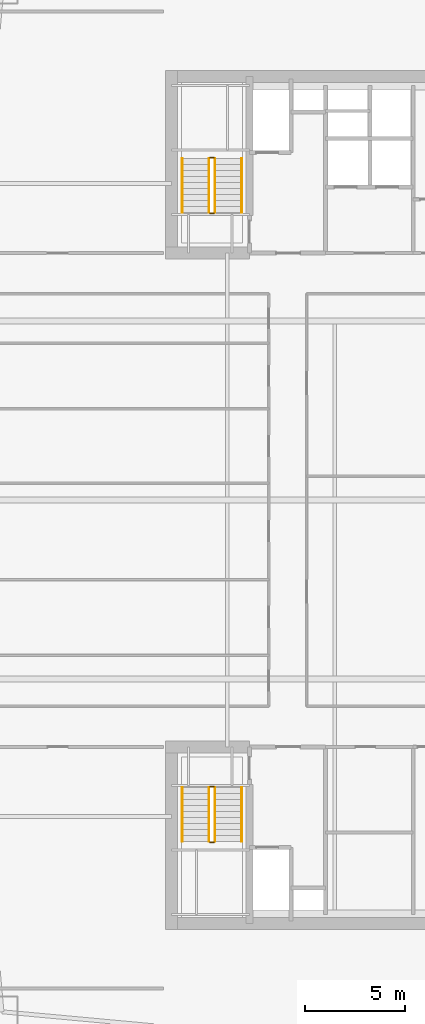
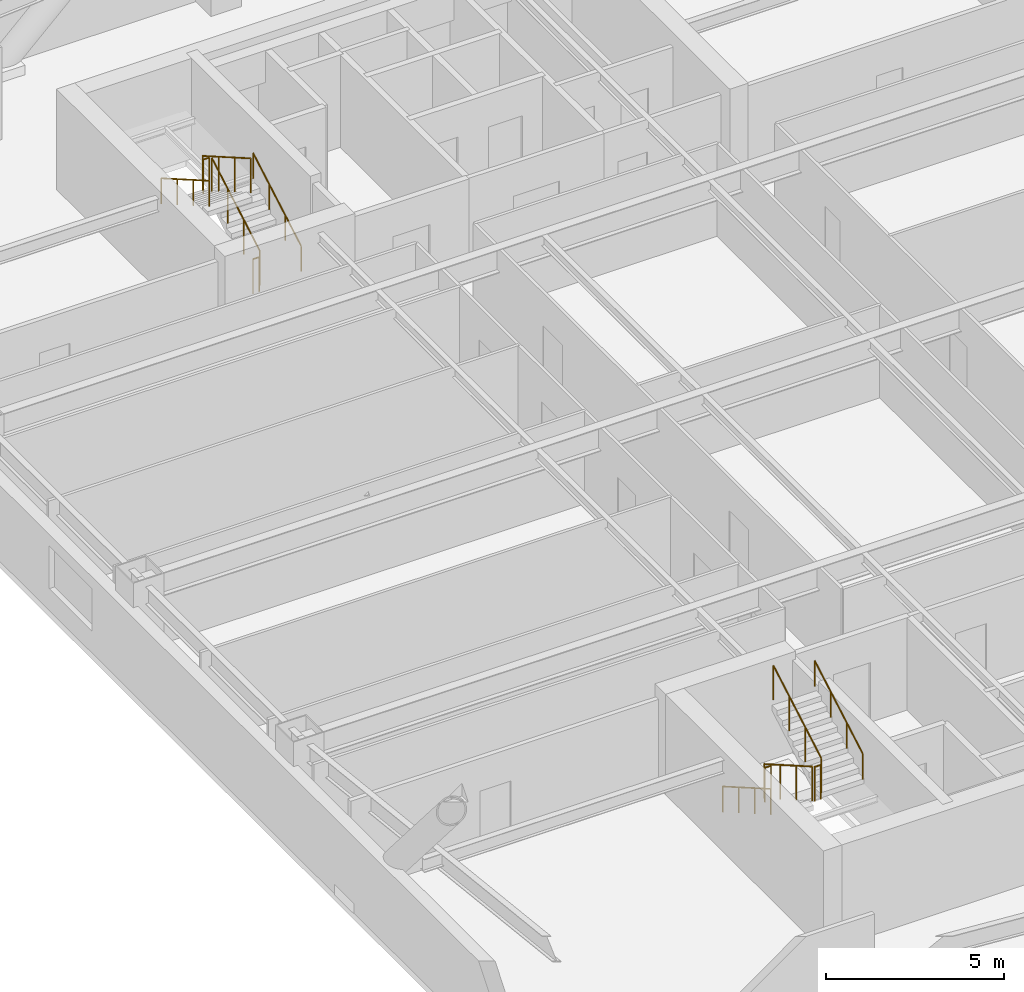
# One storey, part 11 of 12: 12 railings.
"""IFC4 building model written with IfcOpenShell, lengths in metres."""

import ifcopenshell
import ifcopenshell.guid

model = None  # the IFC model being written
_history = None  # IfcOwnerHistory: only IFC2X3 demands one
_inside = {}  # id of a spatial element -> (the spatial element, [elements in it])
_under = {}  # id of a project, library or spatial element -> (it, [spatial elements below it])
_declared = {}  # id of a project -> (the project, [libraries it declares])
_typed = {}  # id of a type object -> (the type object, [elements of that type])
_made_of = {}  # id of a material, layer set ... -> (it, [elements and type objects made of it])


def new_model(schema):
    """Start an empty IFC model of exactly this schema.

    Asked for "IFC4X3", IfcOpenShell would pick the latest addendum, in which some entities
    have other attributes; the version numbers below select the first issue.
    IFC2X3 requires an IfcOwnerHistory on every rooted entity: one is made here for all.
    """
    global model, _history
    if schema == "IFC4X3":
        model = ifcopenshell.file(schema_version=(4, 3, 0, 0))
    else:
        model = ifcopenshell.file(schema=schema)
    _inside.clear()
    _under.clear()
    _declared.clear()
    _typed.clear()
    _made_of.clear()
    _history = None
    if model.schema == "IFC2X3":
        org = make("IfcOrganization", Name="unknown")
        user = make(
            "IfcPersonAndOrganization",
            ThePerson=make("IfcPerson", FamilyName="unknown"),
            TheOrganization=org,
        )
        app = make(
            "IfcApplication",
            ApplicationDeveloper=org,
            Version="unknown",
            ApplicationFullName="unknown",
            ApplicationIdentifier="unknown",
        )
        _history = make(
            "IfcOwnerHistory",
            OwningUser=user,
            OwningApplication=app,
            ChangeAction="ADDED",
            CreationDate=0,
        )
    return model


def make(cls, **values):
    """One entity of the class cls with the attributes given. An attribute that is None is left unset."""
    return model.create_entity(
        cls, **{name: value for name, value in values.items() if value is not None}
    )


def rooted(cls, **values):
    """An entity with a GlobalId (a new one), such as an element, a storey or a relation."""
    return make(cls, GlobalId=ifcopenshell.guid.new(), OwnerHistory=_history, **values)


def si_unit(unit_type, name, prefix=None):
    """IfcSIUnit, for example si_unit("LENGTHUNIT", "METRE", prefix="MILLI")."""
    return make("IfcSIUnit", UnitType=unit_type, Prefix=prefix, Name=name)


def assignment(units):
    """IfcUnitAssignment: the units of a project."""
    return None if units is None else make("IfcUnitAssignment", Units=units)


def point(xyz):
    """IfcCartesianPoint."""
    return None if xyz is None else make("IfcCartesianPoint", Coordinates=xyz)


def direction(xyz):
    """IfcDirection."""
    return None if xyz is None else make("IfcDirection", DirectionRatios=xyz)


def frame(location, z_axis=None, x_axis=None):
    """IfcAxis2Placement3D, a coordinate frame: its origin and axes. An axis left out is left unset."""
    return make(
        "IfcAxis2Placement3D",
        Location=point(location),
        Axis=direction(z_axis),
        RefDirection=direction(x_axis),
    )


def frame_2d(location, x_axis=None):
    """IfcAxis2Placement2D, a coordinate frame in the plane: its origin and x axis."""
    return make(
        "IfcAxis2Placement2D", Location=point(location), RefDirection=direction(x_axis)
    )


def origin():
    """The frame at (0, 0, 0) with its axes left unset."""
    return frame((0.0, 0.0, 0.0))


def origin_2d():
    """The frame at (0, 0) in the plane with its x axis left unset."""
    return frame_2d((0.0, 0.0))


def place(relative_to, where):
    """IfcLocalPlacement: puts the frame where relative to a parent placement (None: the world)."""
    return make(
        "IfcLocalPlacement", PlacementRelTo=relative_to, RelativePlacement=where
    )


def context(
    kind, dimensions, precision=None, world=None, true_north=None, identifier=None
):
    """IfcGeometricRepresentationContext, for example the 3D "Model" context."""
    return make(
        "IfcGeometricRepresentationContext",
        ContextIdentifier=identifier,
        ContextType=kind,
        CoordinateSpaceDimension=dimensions,
        Precision=precision,
        WorldCoordinateSystem=world,
        TrueNorth=true_north,
    )


def subcontext(parent, identifier, kind, view, scale=None):
    """IfcGeometricRepresentationSubContext, for example "Body" below "Model"."""
    return make(
        "IfcGeometricRepresentationSubContext",
        ContextIdentifier=identifier,
        ContextType=kind,
        ParentContext=parent,
        TargetScale=scale,
        TargetView=view,
    )


def project(units=None, contexts=None):
    """IfcProject with its units and contexts."""
    return rooted(
        "IfcProject",
        Name="project",
        RepresentationContexts=contexts,
        UnitsInContext=assignment(units),
    )


def spatial(cls, under=None, at=None, **own):
    """A site, building, storey or space (cls), placed at a placement, below another one or the project."""
    s = rooted(cls, ObjectPlacement=at, **own)
    if under is not None:
        _under.setdefault(under.id(), (under, []))[1].append(s)
    return s


def profile(cls, at=None, kind="AREA", **sizes):
    """A parametric profile (cls). Its sizes go by their IFC names, for example OverallWidth=200.0."""
    return make(cls, ProfileType=kind, Position=at, **sizes)


def circle(**sizes):
    """IfcCircleProfileDef."""
    return profile("IfcCircleProfileDef", **sizes)


def extrude(swept, where, along, depth):
    """IfcExtrudedAreaSolid: the profile swept, set in the frame where, extruded along a direction by depth."""
    return make(
        "IfcExtrudedAreaSolid",
        SweptArea=swept,
        Position=where,
        ExtrudedDirection=direction(along),
        Depth=depth,
    )


def shape(context_of_items, identifier, shape_type, items):
    """IfcShapeRepresentation: the items that make up one representation, for example the "Body"."""
    return make(
        "IfcShapeRepresentation",
        ContextOfItems=context_of_items,
        RepresentationIdentifier=identifier,
        RepresentationType=shape_type,
        Items=items,
    )


def material(Name=None, Category=None):
    """IfcMaterial."""
    return make("IfcMaterial", Name=Name, Category=Category)


def made_of(thing, what):
    """Note that an element or type object is made of a material, layer set ...; save() writes the relation."""
    if what is not None:
        _made_of.setdefault(what.id(), (what, []))[1].append(thing)
    return thing


def type_object(cls, material=None, **own):
    """A type object (cls), such as IfcWallType, which elements share."""
    return made_of(rooted(cls, **own), material)


def element(
    cls,
    number,
    at=None,
    inside=None,
    cuts=None,
    type_object=None,
    material=None,
    context=None,
    identifier="Body",
    shape_type=None,
    held_by="IfcProductDefinitionShape",
    body=None,
    shapes=None,
    **own,
):
    """One element of the class cls, such as IfcWall. Its Tag is "e" and its number.

    at: its placement. inside: the storey or other place that contains it. cuts: it is an
    opening in that element (IfcRelVoidsElement). A single representation is given by context,
    identifier, shape_type and body (its items); several are given by shapes. held_by: the class
    of the entity that holds the representations. save() writes the other relations.
    """
    e = rooted(cls, Tag="e%d" % number, ObjectPlacement=at, **own)
    if body is not None:
        shapes = [shape(context, identifier, shape_type, body)]
    if shapes is not None:
        e.Representation = make(held_by, Representations=shapes)
    if inside is not None:
        _inside.setdefault(inside.id(), (inside, []))[1].append(e)
    if cuts is not None:
        rooted(
            "IfcRelVoidsElement", RelatingBuildingElement=cuts, RelatedOpeningElement=e
        )
    if type_object is not None:
        _typed.setdefault(type_object.id(), (type_object, []))[1].append(e)
    return made_of(e, material)


def aggregate(whole, parts):
    """IfcRelAggregates: a whole, such as a stair, and the parts it consists of."""
    return rooted("IfcRelAggregates", RelatingObject=whole, RelatedObjects=parts)


def save(model, path):
    """Write the relations noted so far, then the file.

    IfcRelAggregates (storeys below a building ...), IfcRelContainedInSpatialStructure (elements
    in a storey), IfcRelDefinesByType, IfcRelAssociatesMaterial and IfcRelDeclares: one each for
    every whole, place, type object, material and project.
    """
    for whole, parts in _under.values():
        aggregate(whole, parts)
    for where, things in _inside.values():
        rooted(
            "IfcRelContainedInSpatialStructure",
            RelatedElements=things,
            RelatingStructure=where,
        )
    for kind, things in _typed.values():
        rooted("IfcRelDefinesByType", RelatedObjects=things, RelatingType=kind)
    for what, things in _made_of.values():
        rooted("IfcRelAssociatesMaterial", RelatedObjects=things, RelatingMaterial=what)
    for by, libraries in _declared.values():
        rooted("IfcRelDeclares", RelatingContext=by, RelatedDefinitions=libraries)
    model.write(path)


model = new_model("IFC4")

# Units and contexts
model_context = context("Model", 3, precision=1e-05, world=origin(), true_north=direction((0.0, 1.0)))
body_context = subcontext(model_context, "Body", "Model", "MODEL_VIEW")
ifc_project = project(units=[si_unit("LENGTHUNIT", "METRE"), si_unit("AREAUNIT", "SQUARE_METRE"), si_unit("VOLUMEUNIT", "CUBIC_METRE"), si_unit("PLANEANGLEUNIT", "RADIAN"), si_unit("MASSUNIT", "GRAM", prefix="KILO")], contexts=[model_context])

# Site, building, storey
site_placement = place(None, origin())
site = spatial("IfcSite", under=ifc_project, at=site_placement, CompositionType="ELEMENT")
building_placement = place(site_placement, origin())
building = spatial("IfcBuilding", under=site, at=building_placement, Name="Qiaolan Cultural Towers", CompositionType="ELEMENT")
storey_placement = place(building_placement, frame((0.0, 0.0, 106.949951171875)))
storey = spatial("IfcBuildingStorey", under=building, at=storey_placement, Name="L27", CompositionType="ELEMENT", Elevation=106.949951171875)

# Railings
ifc_material_1 = material(Name="Galvanized Painted Steel Stair Guardrail", Category="steel")
railing_type_1 = type_object("IfcRailingType", Name="RL-STAIR-GRD", PredefinedType="GUARDRAIL", material=ifc_material_1)
railing_1_placement = place(storey_placement, frame((23.68994140625, 19.550048828125, 0.172607421875)))
element("IfcRailing", 1, at=railing_1_placement, inside=storey, type_object=railing_type_1, Name="L27 ST-W1 stair guard 1", PredefinedType="GUARDRAIL", context=body_context, shape_type="SweptSolid", body=[
    extrude(circle(Radius=0.02392578125, at=origin_2d()), frame((0.0, 0.0, 1.17578125), z_axis=(0.0, -0.866903762492, 0.498475542607), x_axis=(1.0, 0.0, 0.0)), (0.0, 0.0, 1.0), 3.114501953125),
    extrude(circle(Radius=0.02099609375, at=origin_2d()), origin(), (0.0, 0.0, 1.0), 1.15185546875),
    extrude(circle(Radius=0.02099609375, at=origin_2d()), frame((0.0, -0.89990234375, 0.517578125)), (0.0, 0.0, 1.0), 1.15185546875),
    extrude(circle(Radius=0.02099609375, at=origin_2d()), frame((0.0, -1.800048828125, 1.034912109375)), (0.0, 0.0, 1.0), 1.15185546875),
    extrude(circle(Radius=0.02099609375, at=origin_2d()), frame((0.0, -2.699951171875, 1.552490234375)), (0.0, 0.0, 1.0), 1.15185546875),
])
railing_2_placement = place(storey_placement, frame((23.739990234375, 16.800048828125, 1.72509765625)))
element("IfcRailing", 2, at=railing_2_placement, inside=storey, type_object=railing_type_1, Name="L27 ST-W1 stair guard 2", PredefinedType="GUARDRAIL", context=body_context, shape_type="SweptSolid", body=[
    extrude(circle(Radius=0.02392578125, at=origin_2d()), frame((0.0, 0.0, 1.17578125), z_axis=(1.0, 0.0, 0.0), x_axis=(0.0, 1.0, 0.0)), (0.0, 0.0, 1.0), 0.199951171875),
    extrude(circle(Radius=0.02099609375, at=origin_2d()), origin(), (0.0, 0.0, 1.0), 1.15185546875),
    extrude(circle(Radius=0.02099609375, at=origin_2d()), frame((0.199951171875, 0.0, 0.0)), (0.0, 0.0, 1.0), 1.15185546875),
])
railing_3_placement = place(storey_placement, frame((23.989990234375, 16.85009765625, 1.8974609375)))
element("IfcRailing", 3, at=railing_3_placement, inside=storey, type_object=railing_type_1, Name="L27 ST-W1 stair guard 3", PredefinedType="GUARDRAIL", context=body_context, shape_type="SweptSolid", body=[
    extrude(circle(Radius=0.02392578125, at=origin_2d()), frame((0.0, 0.0, 1.17578125), z_axis=(0.0, 0.866903762492, 0.498475542607), x_axis=(-1.0, 0.0, 0.0)), (0.0, 0.0, 1.0), 3.114501953125),
    extrude(circle(Radius=0.02099609375, at=origin_2d()), origin(), (0.0, 0.0, 1.0), 1.15185546875),
    extrude(circle(Radius=0.02099609375, at=origin_2d()), frame((0.0, 0.89990234375, 0.517578125)), (0.0, 0.0, 1.0), 1.15185546875),
    extrude(circle(Radius=0.02099609375, at=origin_2d()), frame((0.0, 1.800048828125, 1.034912109375)), (0.0, 0.0, 1.0), 1.15185546875),
    extrude(circle(Radius=0.02099609375, at=origin_2d()), frame((0.0, 2.699951171875, 1.552490234375)), (0.0, 0.0, 1.0), 1.15185546875),
])
railing_4_placement = place(storey_placement, frame((23.739990234375, 19.60009765625, 0.0)))
element("IfcRailing", 4, at=railing_4_placement, inside=storey, type_object=railing_type_1, Name="L27 ST-W1 stair guard 4", PredefinedType="GUARDRAIL", context=body_context, shape_type="SweptSolid", body=[
    extrude(circle(Radius=0.02392578125, at=origin_2d()), frame((0.0, 0.0, 1.17578125), z_axis=(1.0, 0.0, 0.0), x_axis=(0.0, 1.0, 0.0)), (0.0, 0.0, 1.0), 0.199951171875),
    extrude(circle(Radius=0.02099609375, at=origin_2d()), origin(), (0.0, 0.0, 1.0), 1.15185546875),
    extrude(circle(Radius=0.02099609375, at=origin_2d()), frame((0.199951171875, 0.0, 0.0)), (0.0, 0.0, 1.0), 1.15185546875),
])
railing_5_placement = place(storey_placement, frame((23.989990234375, 48.449951171875, 0.172607421875)))
element("IfcRailing", 5, at=railing_5_placement, inside=storey, type_object=railing_type_1, Name="L27 ST-W2 stair guard 1", PredefinedType="GUARDRAIL", context=body_context, shape_type="SweptSolid", body=[
    extrude(circle(Radius=0.02392578125, at=origin_2d()), frame((0.0, 0.0, 1.17578125), z_axis=(0.0, 0.866903762492, 0.498475542607), x_axis=(-1.0, 0.0, 0.0)), (0.0, 0.0, 1.0), 3.114501953125),
    extrude(circle(Radius=0.02099609375, at=origin_2d()), origin(), (0.0, 0.0, 1.0), 1.15185546875),
    extrude(circle(Radius=0.02099609375, at=origin_2d()), frame((0.0, 0.89990234375, 0.517578125)), (0.0, 0.0, 1.0), 1.15185546875),
    extrude(circle(Radius=0.02099609375, at=origin_2d()), frame((0.0, 1.800048828125, 1.034912109375)), (0.0, 0.0, 1.0), 1.15185546875),
    extrude(circle(Radius=0.02099609375, at=origin_2d()), frame((0.0, 2.699951171875, 1.552490234375)), (0.0, 0.0, 1.0), 1.15185546875),
])
railing_6_placement = place(storey_placement, frame((23.93994140625, 51.199951171875, 1.72509765625)))
element("IfcRailing", 6, at=railing_6_placement, inside=storey, type_object=railing_type_1, Name="L27 ST-W2 stair guard 2", PredefinedType="GUARDRAIL", context=body_context, shape_type="SweptSolid", body=[
    extrude(circle(Radius=0.02392578125, at=origin_2d()), frame((0.0, 0.0, 1.17578125), z_axis=(-1.0, 0.0, 0.0), x_axis=(0.0, -1.0, 0.0)), (0.0, 0.0, 1.0), 0.199951171875),
    extrude(circle(Radius=0.02099609375, at=origin_2d()), origin(), (0.0, 0.0, 1.0), 1.15185546875),
    extrude(circle(Radius=0.02099609375, at=origin_2d()), frame((-0.199951171875, 0.0, 0.0)), (0.0, 0.0, 1.0), 1.15185546875),
])
railing_7_placement = place(storey_placement, frame((23.68994140625, 51.14990234375, 1.8974609375)))
element("IfcRailing", 7, at=railing_7_placement, inside=storey, type_object=railing_type_1, Name="L27 ST-W2 stair guard 3", PredefinedType="GUARDRAIL", context=body_context, shape_type="SweptSolid", body=[
    extrude(circle(Radius=0.02392578125, at=origin_2d()), frame((0.0, 0.0, 1.17578125), z_axis=(0.0, -0.866903762492, 0.498475542607), x_axis=(1.0, 0.0, 0.0)), (0.0, 0.0, 1.0), 3.114501953125),
    extrude(circle(Radius=0.02099609375, at=origin_2d()), origin(), (0.0, 0.0, 1.0), 1.15185546875),
    extrude(circle(Radius=0.02099609375, at=origin_2d()), frame((0.0, -0.89990234375, 0.517578125)), (0.0, 0.0, 1.0), 1.15185546875),
    extrude(circle(Radius=0.02099609375, at=origin_2d()), frame((0.0, -1.800048828125, 1.034912109375)), (0.0, 0.0, 1.0), 1.15185546875),
    extrude(circle(Radius=0.02099609375, at=origin_2d()), frame((0.0, -2.699951171875, 1.552490234375)), (0.0, 0.0, 1.0), 1.15185546875),
])
railing_8_placement = place(storey_placement, frame((23.93994140625, 48.39990234375, 0.0)))
element("IfcRailing", 8, at=railing_8_placement, inside=storey, type_object=railing_type_1, Name="L27 ST-W2 stair guard 4", PredefinedType="GUARDRAIL", context=body_context, shape_type="SweptSolid", body=[
    extrude(circle(Radius=0.02392578125, at=origin_2d()), frame((0.0, 0.0, 1.17578125), z_axis=(-1.0, 0.0, 0.0), x_axis=(0.0, -1.0, 0.0)), (0.0, 0.0, 1.0), 0.199951171875),
    extrude(circle(Radius=0.02099609375, at=origin_2d()), origin(), (0.0, 0.0, 1.0), 1.15185546875),
    extrude(circle(Radius=0.02099609375, at=origin_2d()), frame((-0.199951171875, 0.0, 0.0)), (0.0, 0.0, 1.0), 1.15185546875),
])
ifc_material_2 = material(Name="Stainless Steel S30408 Tubular Handrail", Category="steel")
railing_type_2 = type_object("IfcRailingType", Name="RL-STAIR-HR", PredefinedType="HANDRAIL", material=ifc_material_2)
railing_9_placement = place(storey_placement, frame((22.35009765625, 19.550048828125, 0.172607421875)))
element("IfcRailing", 9, at=railing_9_placement, inside=storey, type_object=railing_type_2, Name="L27 ST-W1 stair handrail 1", PredefinedType="HANDRAIL", context=body_context, shape_type="SweptSolid", body=[
    extrude(circle(Radius=0.02392578125, at=origin_2d()), frame((0.0, 0.0, 0.8759765625), z_axis=(0.0, -0.866903762492, 0.498475542607), x_axis=(1.0, 0.0, 0.0)), (0.0, 0.0, 1.0), 3.114501953125),
    extrude(circle(Radius=0.02099609375, at=origin_2d()), origin(), (0.0, 0.0, 1.0), 0.851806640625),
    extrude(circle(Radius=0.02099609375, at=origin_2d()), frame((0.0, -0.89990234375, 0.517578125)), (0.0, 0.0, 1.0), 0.851806640625),
    extrude(circle(Radius=0.02099609375, at=origin_2d()), frame((0.0, -1.800048828125, 1.034912109375)), (0.0, 0.0, 1.0), 0.851806640625),
    extrude(circle(Radius=0.02099609375, at=origin_2d()), frame((0.0, -2.699951171875, 1.552490234375)), (0.0, 0.0, 1.0), 0.851806640625),
])
for number, where, name in (
    (10, (25.330078125, 16.85009765625, 1.8974609375), "L27 ST-W1 stair handrail 2"),
    (11, (25.330078125, 48.449951171875, 0.172607421875), "L27 ST-W2 stair handrail 1"),
):
    element("IfcRailing", number, at=place(storey_placement, frame(where)), inside=storey, type_object=railing_type_2, Name=name, PredefinedType="HANDRAIL", context=body_context, shape_type="SweptSolid", body=[
        extrude(circle(Radius=0.02392578125, at=origin_2d()), frame((0.0, 0.0, 0.8759765625), z_axis=(0.0, 0.866903762492, 0.498475542607), x_axis=(-1.0, 0.0, 0.0)), (0.0, 0.0, 1.0), 3.114501953125),
        extrude(circle(Radius=0.02099609375, at=origin_2d()), origin(), (0.0, 0.0, 1.0), 0.851806640625),
        extrude(circle(Radius=0.02099609375, at=origin_2d()), frame((0.0, 0.89990234375, 0.517578125)), (0.0, 0.0, 1.0), 0.851806640625),
        extrude(circle(Radius=0.02099609375, at=origin_2d()), frame((0.0, 1.800048828125, 1.034912109375)), (0.0, 0.0, 1.0), 0.851806640625),
        extrude(circle(Radius=0.02099609375, at=origin_2d()), frame((0.0, 2.699951171875, 1.552490234375)), (0.0, 0.0, 1.0), 0.851806640625),
    ])
railing_10_placement = place(storey_placement, frame((22.35009765625, 51.14990234375, 1.8974609375)))
element("IfcRailing", 12, at=railing_10_placement, inside=storey, type_object=railing_type_2, Name="L27 ST-W2 stair handrail 2", PredefinedType="HANDRAIL", context=body_context, shape_type="SweptSolid", body=[
    extrude(circle(Radius=0.02392578125, at=origin_2d()), frame((0.0, 0.0, 0.8759765625), z_axis=(0.0, -0.866903762492, 0.498475542607), x_axis=(1.0, 0.0, 0.0)), (0.0, 0.0, 1.0), 3.114501953125),
    extrude(circle(Radius=0.02099609375, at=origin_2d()), origin(), (0.0, 0.0, 1.0), 0.851806640625),
    extrude(circle(Radius=0.02099609375, at=origin_2d()), frame((0.0, -0.89990234375, 0.517578125)), (0.0, 0.0, 1.0), 0.851806640625),
    extrude(circle(Radius=0.02099609375, at=origin_2d()), frame((0.0, -1.800048828125, 1.034912109375)), (0.0, 0.0, 1.0), 0.851806640625),
    extrude(circle(Radius=0.02099609375, at=origin_2d()), frame((0.0, -2.699951171875, 1.552490234375)), (0.0, 0.0, 1.0), 0.851806640625),
])

save(model, "model.ifc")
